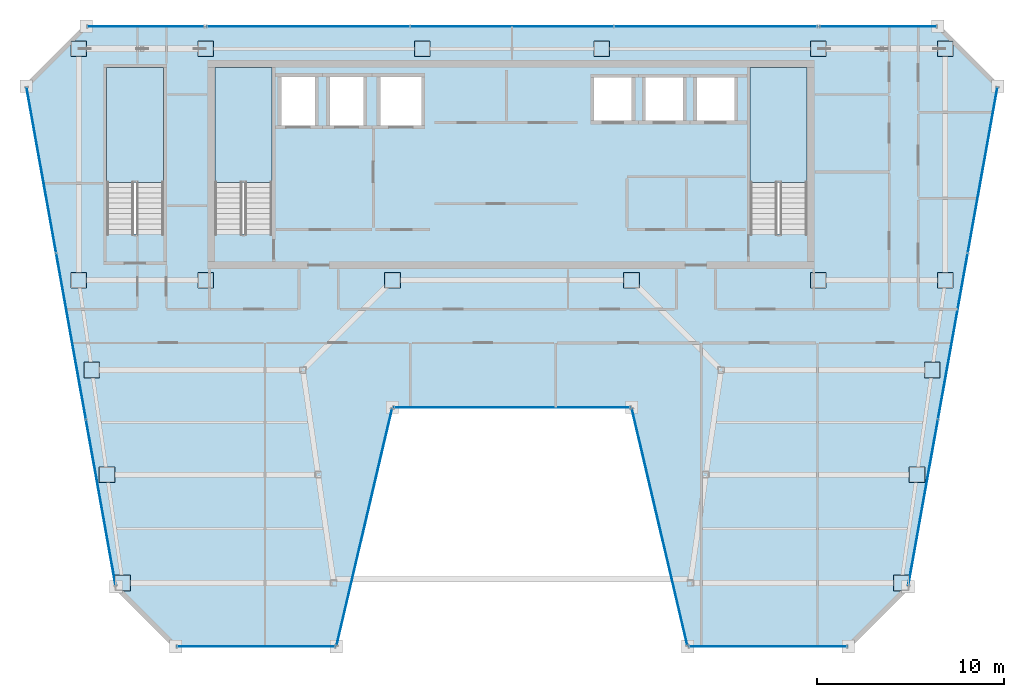
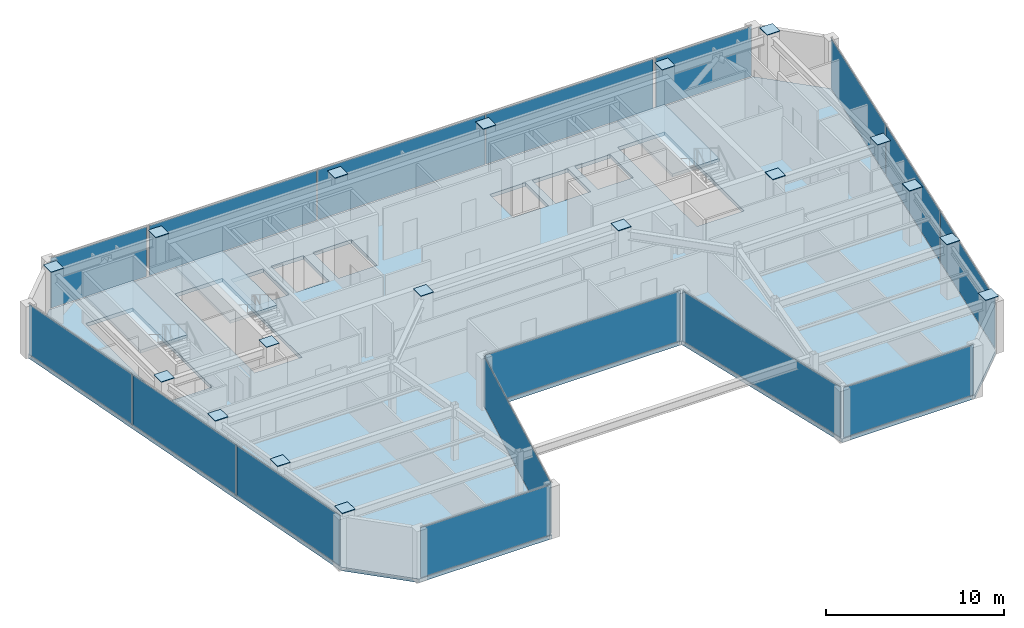
# One storey, part 25 of 32: 34 plates, 4 slabs, 13 elements without a shape of their own.
"""IFC4 building model written with IfcOpenShell, lengths in metres."""

import ifcopenshell
import ifcopenshell.guid

model = None  # the IFC model being written
_history = None  # IfcOwnerHistory: only IFC2X3 demands one
_inside = {}  # id of a spatial element -> (the spatial element, [elements in it])
_under = {}  # id of a project, library or spatial element -> (it, [spatial elements below it])
_declared = {}  # id of a project -> (the project, [libraries it declares])
_typed = {}  # id of a type object -> (the type object, [elements of that type])
_made_of = {}  # id of a material, layer set ... -> (it, [elements and type objects made of it])


def new_model(schema):
    """Start an empty IFC model of exactly this schema.

    Asked for "IFC4X3", IfcOpenShell would pick the latest addendum, in which some entities
    have other attributes; the version numbers below select the first issue.
    IFC2X3 requires an IfcOwnerHistory on every rooted entity: one is made here for all.
    """
    global model, _history
    if schema == "IFC4X3":
        model = ifcopenshell.file(schema_version=(4, 3, 0, 0))
    else:
        model = ifcopenshell.file(schema=schema)
    _inside.clear()
    _under.clear()
    _declared.clear()
    _typed.clear()
    _made_of.clear()
    _history = None
    if model.schema == "IFC2X3":
        org = make("IfcOrganization", Name="unknown")
        user = make(
            "IfcPersonAndOrganization",
            ThePerson=make("IfcPerson", FamilyName="unknown"),
            TheOrganization=org,
        )
        app = make(
            "IfcApplication",
            ApplicationDeveloper=org,
            Version="unknown",
            ApplicationFullName="unknown",
            ApplicationIdentifier="unknown",
        )
        _history = make(
            "IfcOwnerHistory",
            OwningUser=user,
            OwningApplication=app,
            ChangeAction="ADDED",
            CreationDate=0,
        )
    return model


def make(cls, **values):
    """One entity of the class cls with the attributes given. An attribute that is None is left unset."""
    return model.create_entity(
        cls, **{name: value for name, value in values.items() if value is not None}
    )


def rooted(cls, **values):
    """An entity with a GlobalId (a new one), such as an element, a storey or a relation."""
    return make(cls, GlobalId=ifcopenshell.guid.new(), OwnerHistory=_history, **values)


def si_unit(unit_type, name, prefix=None):
    """IfcSIUnit, for example si_unit("LENGTHUNIT", "METRE", prefix="MILLI")."""
    return make("IfcSIUnit", UnitType=unit_type, Prefix=prefix, Name=name)


def assignment(units):
    """IfcUnitAssignment: the units of a project."""
    return None if units is None else make("IfcUnitAssignment", Units=units)


def point(xyz):
    """IfcCartesianPoint."""
    return None if xyz is None else make("IfcCartesianPoint", Coordinates=xyz)


def direction(xyz):
    """IfcDirection."""
    return None if xyz is None else make("IfcDirection", DirectionRatios=xyz)


def frame(location, z_axis=None, x_axis=None):
    """IfcAxis2Placement3D, a coordinate frame: its origin and axes. An axis left out is left unset."""
    return make(
        "IfcAxis2Placement3D",
        Location=point(location),
        Axis=direction(z_axis),
        RefDirection=direction(x_axis),
    )


def frame_2d(location, x_axis=None):
    """IfcAxis2Placement2D, a coordinate frame in the plane: its origin and x axis."""
    return make(
        "IfcAxis2Placement2D", Location=point(location), RefDirection=direction(x_axis)
    )


def origin():
    """The frame at (0, 0, 0) with its axes left unset."""
    return frame((0.0, 0.0, 0.0))


def origin_2d():
    """The frame at (0, 0) in the plane with its x axis left unset."""
    return frame_2d((0.0, 0.0))


def place(relative_to, where):
    """IfcLocalPlacement: puts the frame where relative to a parent placement (None: the world)."""
    return make(
        "IfcLocalPlacement", PlacementRelTo=relative_to, RelativePlacement=where
    )


def context(
    kind, dimensions, precision=None, world=None, true_north=None, identifier=None
):
    """IfcGeometricRepresentationContext, for example the 3D "Model" context."""
    return make(
        "IfcGeometricRepresentationContext",
        ContextIdentifier=identifier,
        ContextType=kind,
        CoordinateSpaceDimension=dimensions,
        Precision=precision,
        WorldCoordinateSystem=world,
        TrueNorth=true_north,
    )


def subcontext(parent, identifier, kind, view, scale=None):
    """IfcGeometricRepresentationSubContext, for example "Body" below "Model"."""
    return make(
        "IfcGeometricRepresentationSubContext",
        ContextIdentifier=identifier,
        ContextType=kind,
        ParentContext=parent,
        TargetScale=scale,
        TargetView=view,
    )


def project(units=None, contexts=None):
    """IfcProject with its units and contexts."""
    return rooted(
        "IfcProject",
        Name="project",
        RepresentationContexts=contexts,
        UnitsInContext=assignment(units),
    )


def spatial(cls, under=None, at=None, **own):
    """A site, building, storey or space (cls), placed at a placement, below another one or the project."""
    s = rooted(cls, ObjectPlacement=at, **own)
    if under is not None:
        _under.setdefault(under.id(), (under, []))[1].append(s)
    return s


def polyline(points):
    """IfcPolyline through the points."""
    return make("IfcPolyline", Points=[point(p) for p in points])


def profile(cls, at=None, kind="AREA", **sizes):
    """A parametric profile (cls). Its sizes go by their IFC names, for example OverallWidth=200.0."""
    return make(cls, ProfileType=kind, Position=at, **sizes)


def rectangle(**sizes):
    """IfcRectangleProfileDef."""
    return profile("IfcRectangleProfileDef", **sizes)


def outline(outer, holes=None, kind="AREA"):
    """IfcArbitraryClosedProfileDef: a profile drawn as a closed curve; with holes, ...WithVoids."""
    if holes is None:
        return make("IfcArbitraryClosedProfileDef", ProfileType=kind, OuterCurve=outer)
    return make(
        "IfcArbitraryProfileDefWithVoids",
        ProfileType=kind,
        OuterCurve=outer,
        InnerCurves=holes,
    )


def extrude(swept, where, along, depth):
    """IfcExtrudedAreaSolid: the profile swept, set in the frame where, extruded along a direction by depth."""
    return make(
        "IfcExtrudedAreaSolid",
        SweptArea=swept,
        Position=where,
        ExtrudedDirection=direction(along),
        Depth=depth,
    )


def shape(context_of_items, identifier, shape_type, items):
    """IfcShapeRepresentation: the items that make up one representation, for example the "Body"."""
    return make(
        "IfcShapeRepresentation",
        ContextOfItems=context_of_items,
        RepresentationIdentifier=identifier,
        RepresentationType=shape_type,
        Items=items,
    )


def material(Name=None, Category=None):
    """IfcMaterial."""
    return make("IfcMaterial", Name=Name, Category=Category)


def layer(
    of_material, thickness, ventilated=None, Name=None, Category=None, Priority=None
):
    """IfcMaterialLayer: one layer of a wall or slab, of a material (None: an air gap)."""
    return make(
        "IfcMaterialLayer",
        Material=of_material,
        LayerThickness=thickness,
        IsVentilated=ventilated,
        Name=Name,
        Category=Category,
        Priority=Priority,
    )


def layer_set(layers, Name=None):
    """IfcMaterialLayerSet."""
    return make("IfcMaterialLayerSet", MaterialLayers=layers, LayerSetName=Name)


def made_of(thing, what):
    """Note that an element or type object is made of a material, layer set ...; save() writes the relation."""
    if what is not None:
        _made_of.setdefault(what.id(), (what, []))[1].append(thing)
    return thing


def type_object(cls, material=None, **own):
    """A type object (cls), such as IfcWallType, which elements share."""
    return made_of(rooted(cls, **own), material)


def element(
    cls,
    number,
    at=None,
    inside=None,
    cuts=None,
    type_object=None,
    material=None,
    context=None,
    identifier="Body",
    shape_type=None,
    held_by="IfcProductDefinitionShape",
    body=None,
    shapes=None,
    **own,
):
    """One element of the class cls, such as IfcWall. Its Tag is "e" and its number.

    at: its placement. inside: the storey or other place that contains it. cuts: it is an
    opening in that element (IfcRelVoidsElement). A single representation is given by context,
    identifier, shape_type and body (its items); several are given by shapes. held_by: the class
    of the entity that holds the representations. save() writes the other relations.
    """
    e = rooted(cls, Tag="e%d" % number, ObjectPlacement=at, **own)
    if body is not None:
        shapes = [shape(context, identifier, shape_type, body)]
    if shapes is not None:
        e.Representation = make(held_by, Representations=shapes)
    if inside is not None:
        _inside.setdefault(inside.id(), (inside, []))[1].append(e)
    if cuts is not None:
        rooted(
            "IfcRelVoidsElement", RelatingBuildingElement=cuts, RelatedOpeningElement=e
        )
    if type_object is not None:
        _typed.setdefault(type_object.id(), (type_object, []))[1].append(e)
    return made_of(e, material)


def aggregate(whole, parts):
    """IfcRelAggregates: a whole, such as a stair, and the parts it consists of."""
    return rooted("IfcRelAggregates", RelatingObject=whole, RelatedObjects=parts)


def save(model, path):
    """Write the relations noted so far, then the file.

    IfcRelAggregates (storeys below a building ...), IfcRelContainedInSpatialStructure (elements
    in a storey), IfcRelDefinesByType, IfcRelAssociatesMaterial and IfcRelDeclares: one each for
    every whole, place, type object, material and project.
    """
    for whole, parts in _under.values():
        aggregate(whole, parts)
    for where, things in _inside.values():
        rooted(
            "IfcRelContainedInSpatialStructure",
            RelatedElements=things,
            RelatingStructure=where,
        )
    for kind, things in _typed.values():
        rooted("IfcRelDefinesByType", RelatedObjects=things, RelatingType=kind)
    for what, things in _made_of.values():
        rooted("IfcRelAssociatesMaterial", RelatedObjects=things, RelatingMaterial=what)
    for by, libraries in _declared.values():
        rooted("IfcRelDeclares", RelatingContext=by, RelatedDefinitions=libraries)
    model.write(path)


model = new_model("IFC4")

# Units and contexts
model_context = context("Model", 3, precision=1e-05, world=origin(), true_north=direction((0.0, 1.0)))
body_context = subcontext(model_context, "Body", "Model", "MODEL_VIEW")
ifc_project = project(units=[si_unit("LENGTHUNIT", "METRE"), si_unit("AREAUNIT", "SQUARE_METRE"), si_unit("VOLUMEUNIT", "CUBIC_METRE"), si_unit("PLANEANGLEUNIT", "RADIAN"), si_unit("MASSUNIT", "GRAM", prefix="KILO")], contexts=[model_context])

# Site, building, storey
site_placement = place(None, origin())
site = spatial("IfcSite", under=ifc_project, at=site_placement, CompositionType="ELEMENT")
building_placement = place(site_placement, origin())
building = spatial("IfcBuilding", under=site, at=building_placement, Name="Saevonmaru Cultural Tower", CompositionType="ELEMENT")
storey_placement = place(building_placement, frame((0.0, 0.0, 257.199951171875)))
storey = spatial("IfcBuildingStorey", under=building, at=storey_placement, Name="L60", CompositionType="ELEMENT", Elevation=257.199951171875)

# Plates
ifc_material_1 = material(Name="Steel HSA600 (600 MPa)", Category="steel")
ifc_layer_1 = layer(ifc_material_1, 0.0400390625, Name="Steel HSA600 (600 MPa)")
ifc_layer_set_1 = layer_set([ifc_layer_1], Name="Steel HSA600 (600 MPa)")
plate_type_1 = type_object("IfcPlateType", Name="PL-CAP-800", PredefinedType="USERDEFINED", material=ifc_layer_set_1)
for number, where, z_axis, x_axis, name in (
    (1, (50.845947265625, 26.199951171875, 3.794921875), (0.0, 0.0, 1.0), (1.0, 0.0, 0.0), "Column head cap plate TC-EO-Y262 L60"),
    (2, (51.68310546875, 32.0, 3.794921875), (0.0, 0.0, 1.0), (1.0, 0.0, 0.0), "Column head cap plate TC-EO-Y320 L60"),
    (3, (52.491943359375, 37.60009765625, 3.794921875), (0.0, 0.0, 1.0), (1.0, 0.0, 0.0), "Column head cap plate TC-EO-Y376 L60"),
    (4, (6.800048828125, 54.800048828125, 3.794921875), (0.0, 0.0, 1.0), (1.0, 0.0, 0.0), "Column head cap plate TC-N1N L60"),
    (5, (13.60009765625, 54.800048828125, 3.794921875), (0.0, 0.0, 1.0), (1.0, 0.0, 0.0), "Column head cap plate TC-N2N L60"),
    (6, (25.199951171875, 54.800048828125, 3.794921875), (0.0, 0.0, 1.0), (1.0, 0.0, 0.0), "Column head cap plate TC-N3N L60"),
    (7, (34.800048828125, 54.800048828125, 3.794921875), (0.0, 0.0, 1.0), (1.0, 0.0, 0.0), "Column head cap plate TC-N4N L60"),
    (8, (46.39990234375, 54.800048828125, 3.794921875), (0.0, 0.0, 1.0), (1.0, 0.0, 0.0), "Column head cap plate TC-N5N L60"),
    (9, (53.199951171875, 54.800048828125, 3.794921875), (0.0, 0.0, 1.0), (1.0, 0.0, 0.0), "Column head cap plate TC-N6N L60"),
    (10, (6.800048828125, 42.39990234375, 3.794921875), (0.0, 0.0, 1.0), (1.0, 0.0, 0.0), "Column head cap plate TC-S1C L60"),
    (11, (13.60009765625, 42.39990234375, 3.794921875), (0.0, 0.0, 1.0), (1.0, 0.0, 0.0), "Column head cap plate TC-S2C L60"),
    (12, (23.60009765625, 42.39990234375, 3.794921875), (0.0, 0.0, 1.0), (1.0, 0.0, 0.0), "Column head cap plate TC-S3C L60"),
    (13, (36.39990234375, 42.39990234375, 3.794921875), (0.0, 0.0, 1.0), (1.0, 0.0, 0.0), "Column head cap plate TC-S4C L60"),
    (14, (46.39990234375, 42.39990234375, 3.794921875), (0.0, 0.0, 1.0), (1.0, 0.0, 0.0), "Column head cap plate TC-S5C L60"),
    (15, (53.199951171875, 42.39990234375, 3.794921875), (0.0, 0.0, 1.0), (1.0, 0.0, 0.0), "Column head cap plate TC-S6C L60"),
    (16, (9.154052734375, 26.199951171875, 3.794921875), (0.0, 0.0, 1.0), (1.0, 0.0, 0.0), "Column head cap plate TC-WO-Y262 L60"),
    (17, (8.31689453125, 32.0, 3.794921875), (0.0, 0.0, 1.0), (1.0, 0.0, 0.0), "Column head cap plate TC-WO-Y320 L60"),
    (18, (7.508056640625, 37.60009765625, 3.794921875), (0.0, 0.0, 1.0), (1.0, 0.0, 0.0), "Column head cap plate TC-WO-Y376 L60"),
):
    element("IfcPlate", number, at=place(storey_placement, frame(where, z_axis=z_axis, x_axis=x_axis)), inside=storey, type_object=plate_type_1, Name=name, ObjectType="CAP_PLATE", PredefinedType="USERDEFINED", context=body_context, shape_type="SweptSolid", body=[
        extrude(rectangle(XDim=0.840087890625, YDim=0.840087890625, at=origin_2d()), origin(), (0.0, 0.0, 1.0), 0.0400390625),
    ])

# Curtain wall, plate
ifc_material_2 = material(Name="Satin Bronze Anodised Aluminium", Category="aluminium")
curtain_wall_type = type_object("IfcCurtainWallType", Name="CW-TYP-B", PredefinedType="NOTDEFINED", material=ifc_material_2)
curtain_wall_1_placement = place(storey_placement, origin())
curtain_wall_1 = element("IfcCurtainWall", 19, at=curtain_wall_1_placement, inside=storey, type_object=curtain_wall_type, Name="L60 Unitised Curtain Wall E2", PredefinedType="NOTDEFINED")
ifc_material_3 = material(Name="Triple Silver Low-E Insulating Glass", Category="glass")
ifc_layer_2 = layer(ifc_material_3, 0.035888671875, Name="Triple Silver Low-E Insulating Glass")
ifc_layer_set_2 = layer_set([ifc_layer_2], Name="Triple Silver Low-E Insulating Glass")
plate_type_2 = type_object("IfcPlateType", Name="PN-GLZ-IGU", PredefinedType="CURTAIN_PANEL", material=ifc_layer_set_2)
plate_1_placement = place(storey_placement, frame((16.295654296875, 22.800048828125, 0.067138671875), z_axis=(0.0, 0.0, 1.0), x_axis=(1.0, 0.0, 0.0)))
plate_1 = element("IfcPlate", 20, at=plate_1_placement, type_object=plate_type_2, Name="CW-TW-L60-E2 panel 1.1", PredefinedType="CURTAIN_PANEL", context=body_context, shape_type="SweptSolid", body=[
    extrude(rectangle(XDim=8.410888671875, YDim=0.035888671875, at=origin_2d()), origin(), (0.0, 0.0, 1.0), 3.416015625),
])
aggregate(curtain_wall_1, [plate_1])

curtain_wall_2_placement = place(storey_placement, origin())
curtain_wall_2 = element("IfcCurtainWall", 21, at=curtain_wall_2_placement, inside=storey, type_object=curtain_wall_type, Name="L60 Unitised Curtain Wall E3", PredefinedType="NOTDEFINED")
plate_2_placement = place(storey_placement, frame((22.095703125, 29.199951171875, 0.067138671875), z_axis=(0.0, 0.0, 1.0), x_axis=(0.228189509449, 0.973616735568, 0.0)))
plate_2 = element("IfcPlate", 22, at=plate_2_placement, type_object=plate_type_2, Name="CW-TW-L60-E3 panel 1.1", PredefinedType="CURTAIN_PANEL", context=body_context, shape_type="SweptSolid", body=[
    extrude(rectangle(XDim=12.9580078125, YDim=0.035888671875, at=origin_2d()), origin(), (0.0, 0.0, 1.0), 3.416015625),
])
aggregate(curtain_wall_2, [plate_2])

curtain_wall_3_placement = place(storey_placement, origin())
curtain_wall_3 = element("IfcCurtainWall", 23, at=curtain_wall_3_placement, inside=storey, type_object=curtain_wall_type, Name="L60 Unitised Curtain Wall E4", PredefinedType="NOTDEFINED")
plate_3_placement = place(storey_placement, frame((30.0, 35.60009765625, 0.067138671875), z_axis=(0.0, 0.0, 1.0), x_axis=(1.0, 0.0, 0.0)))
plate_3 = element("IfcPlate", 24, at=plate_3_placement, type_object=plate_type_2, Name="CW-TW-L60-E4 panel 1.1", PredefinedType="CURTAIN_PANEL", context=body_context, shape_type="SweptSolid", body=[
    extrude(rectangle(XDim=12.619873046875, YDim=0.035888671875, at=origin_2d()), origin(), (0.0, 0.0, 1.0), 3.416015625),
])
aggregate(curtain_wall_3, [plate_3])

curtain_wall_4_placement = place(storey_placement, origin())
curtain_wall_4 = element("IfcCurtainWall", 25, at=curtain_wall_4_placement, inside=storey, type_object=curtain_wall_type, Name="L60 Unitised Curtain Wall E5", PredefinedType="NOTDEFINED")
plate_4_placement = place(storey_placement, frame((37.904296875, 29.199951171875, 0.067138671875), z_axis=(0.0, 0.0, 1.0), x_axis=(0.228189509449, -0.973616735568, 0.0)))
plate_4 = element("IfcPlate", 26, at=plate_4_placement, type_object=plate_type_2, Name="CW-TW-L60-E5 panel 1.1", PredefinedType="CURTAIN_PANEL", context=body_context, shape_type="SweptSolid", body=[
    extrude(rectangle(XDim=12.9580078125, YDim=0.035888671875, at=origin_2d()), origin(), (0.0, 0.0, 1.0), 3.416015625),
])
aggregate(curtain_wall_4, [plate_4])

curtain_wall_5_placement = place(storey_placement, origin())
curtain_wall_5 = element("IfcCurtainWall", 27, at=curtain_wall_5_placement, inside=storey, type_object=curtain_wall_type, Name="L60 Unitised Curtain Wall E6", PredefinedType="NOTDEFINED")
plate_5_placement = place(storey_placement, frame((43.704345703125, 22.800048828125, 0.067138671875), z_axis=(0.0, 0.0, 1.0), x_axis=(1.0, 0.0, 0.0)))
plate_5 = element("IfcPlate", 28, at=plate_5_placement, type_object=plate_type_2, Name="CW-TW-L60-E6 panel 1.1", PredefinedType="CURTAIN_PANEL", context=body_context, shape_type="SweptSolid", body=[
    extrude(rectangle(XDim=8.410888671875, YDim=0.035888671875, at=origin_2d()), origin(), (0.0, 0.0, 1.0), 3.416015625),
])
aggregate(curtain_wall_5, [plate_5])

# Curtain wall, plates
curtain_wall_6_placement = place(storey_placement, origin())
curtain_wall_6 = element("IfcCurtainWall", 29, at=curtain_wall_6_placement, inside=storey, type_object=curtain_wall_type, Name="L60 Unitised Curtain Wall E8", PredefinedType="NOTDEFINED")
plate_6_placement = place(storey_placement, frame((52.0107421875, 30.506103515625, 0.067138671875), z_axis=(0.0, 0.0, 1.0), x_axis=(0.176140740755, 0.984364993001, 0.0)))
plate_6 = element("IfcPlate", 30, at=plate_6_placement, type_object=plate_type_2, Name="CW-TW-L60-E8 panel 1.1", PredefinedType="CURTAIN_PANEL", context=body_context, shape_type="SweptSolid", body=[
    extrude(rectangle(XDim=8.96630859375, YDim=0.035888671875, at=origin_2d()), origin(), (0.0, 0.0, 1.0), 3.416015625),
])
plate_7_placement = place(storey_placement, frame((53.602294921875, 39.39990234375, 0.067138671875), z_axis=(0.0, 0.0, 1.0), x_axis=(0.176140740755, 0.984364993001, 0.0)))
plate_7 = element("IfcPlate", 31, at=plate_7_placement, type_object=plate_type_2, Name="CW-TW-L60-E8 panel 2.1", PredefinedType="CURTAIN_PANEL", context=body_context, shape_type="SweptSolid", body=[
    extrude(rectangle(XDim=8.96630859375, YDim=0.035888671875, at=origin_2d()), origin(), (0.0, 0.0, 1.0), 3.416015625),
])
plate_8_placement = place(storey_placement, frame((55.193603515625, 48.2939453125, 0.067138671875), z_axis=(0.0, 0.0, 1.0), x_axis=(0.176140740755, 0.984364993001, 0.0)))
plate_8 = element("IfcPlate", 32, at=plate_8_placement, type_object=plate_type_2, Name="CW-TW-L60-E8 panel 3.1", PredefinedType="CURTAIN_PANEL", context=body_context, shape_type="SweptSolid", body=[
    extrude(rectangle(XDim=8.96630859375, YDim=0.035888671875, at=origin_2d()), origin(), (0.0, 0.0, 1.0), 3.416015625),
])
aggregate(curtain_wall_6, [plate_6, plate_7, plate_8])

curtain_wall_7_placement = place(storey_placement, origin())
curtain_wall_7 = element("IfcCurtainWall", 33, at=curtain_wall_7_placement, inside=storey, type_object=curtain_wall_type, Name="L60 North Spine Unitised Curtain Wall E10B", PredefinedType="NOTDEFINED")
plate_9_placement = place(storey_placement, frame((40.893310546875, 56.0, 0.067138671875), z_axis=(0.0, 0.0, 1.0), x_axis=(-1.0, 0.0, 0.0)))
plate_9 = element("IfcPlate", 34, at=plate_9_placement, type_object=plate_type_2, Name="CW-TW-L60-E10B panel 1.1", PredefinedType="CURTAIN_PANEL", context=body_context, shape_type="SweptSolid", body=[
    extrude(rectangle(XDim=10.82421875, YDim=0.035888671875, at=origin_2d()), origin(), (0.0, 0.0, 1.0), 3.416015625),
])
plate_10_placement = place(storey_placement, frame((30.0, 56.0, 0.067138671875), z_axis=(0.0, 0.0, 1.0), x_axis=(-1.0, 0.0, 0.0)))
plate_10 = element("IfcPlate", 35, at=plate_10_placement, type_object=plate_type_2, Name="CW-TW-L60-E10B panel 2.1", PredefinedType="CURTAIN_PANEL", context=body_context, shape_type="SweptSolid", body=[
    extrude(rectangle(XDim=10.82421875, YDim=0.035888671875, at=origin_2d()), origin(), (0.0, 0.0, 1.0), 3.416015625),
])
plate_11_placement = place(storey_placement, frame((19.106689453125, 56.0, 0.067138671875), z_axis=(0.0, 0.0, 1.0), x_axis=(-1.0, 0.0, 0.0)))
plate_11 = element("IfcPlate", 36, at=plate_11_placement, type_object=plate_type_2, Name="CW-TW-L60-E10B panel 3.1", PredefinedType="CURTAIN_PANEL", context=body_context, shape_type="SweptSolid", body=[
    extrude(rectangle(XDim=10.82421875, YDim=0.035888671875, at=origin_2d()), origin(), (0.0, 0.0, 1.0), 3.416015625),
])
aggregate(curtain_wall_7, [plate_9, plate_10, plate_11])

curtain_wall_8_placement = place(storey_placement, origin())
curtain_wall_8 = element("IfcCurtainWall", 37, at=curtain_wall_8_placement, inside=storey, type_object=curtain_wall_type, Name="L60 Unitised Curtain Wall E12", PredefinedType="NOTDEFINED")
plate_12_placement = place(storey_placement, frame((4.806396484375, 48.2939453125, 0.067138671875), z_axis=(0.0, 0.0, 1.0), x_axis=(0.176140740755, -0.984364993001, 0.0)))
plate_12 = element("IfcPlate", 38, at=plate_12_placement, type_object=plate_type_2, Name="CW-TW-L60-E12 panel 1.1", PredefinedType="CURTAIN_PANEL", context=body_context, shape_type="SweptSolid", body=[
    extrude(rectangle(XDim=8.96630859375, YDim=0.035888671875, at=origin_2d()), origin(), (0.0, 0.0, 1.0), 3.416015625),
])
plate_13_placement = place(storey_placement, frame((6.397705078125, 39.39990234375, 0.067138671875), z_axis=(0.0, 0.0, 1.0), x_axis=(0.176140740755, -0.984364993001, 0.0)))
plate_13 = element("IfcPlate", 39, at=plate_13_placement, type_object=plate_type_2, Name="CW-TW-L60-E12 panel 2.1", PredefinedType="CURTAIN_PANEL", context=body_context, shape_type="SweptSolid", body=[
    extrude(rectangle(XDim=8.96630859375, YDim=0.035888671875, at=origin_2d()), origin(), (0.0, 0.0, 1.0), 3.416015625),
])
plate_14_placement = place(storey_placement, frame((7.9892578125, 30.506103515625, 0.067138671875), z_axis=(0.0, 0.0, 1.0), x_axis=(0.176140740755, -0.984364993001, 0.0)))
plate_14 = element("IfcPlate", 40, at=plate_14_placement, type_object=plate_type_2, Name="CW-TW-L60-E12 panel 3.1", PredefinedType="CURTAIN_PANEL", context=body_context, shape_type="SweptSolid", body=[
    extrude(rectangle(XDim=8.96630859375, YDim=0.035888671875, at=origin_2d()), origin(), (0.0, 0.0, 1.0), 3.416015625),
])
aggregate(curtain_wall_8, [plate_12, plate_13, plate_14])

# Curtain wall, plate
curtain_wall_9_placement = place(storey_placement, origin())
curtain_wall_9 = element("IfcCurtainWall", 41, at=curtain_wall_9_placement, inside=storey, type_object=curtain_wall_type, Name="L60 East Braced Bay Spandrel Curtain Wall E10A", PredefinedType="NOTDEFINED")
ifc_material_4 = material(Name="Insulated Satin Bronze Aluminium Spandrel Panel", Category="aluminium")
ifc_layer_3 = layer(ifc_material_4, 0.0400390625, Name="Insulated Satin Bronze Aluminium Spandrel Panel")
ifc_layer_set_3 = layer_set([ifc_layer_3], Name="Insulated Satin Bronze Aluminium Spandrel Panel")
plate_type_3 = type_object("IfcPlateType", Name="PN-SPANDREL-BRONZE", PredefinedType="CURTAIN_PANEL", material=ifc_layer_set_3)
plate_15_placement = place(storey_placement, frame((49.60009765625, 56.0, 0.067138671875), z_axis=(0.0, 0.0, 1.0), x_axis=(-1.0, 0.0, 0.0)))
plate_15 = element("IfcPlate", 42, at=plate_15_placement, type_object=plate_type_3, Name="CW-TW-L60-E10A panel 1.1", PredefinedType="CURTAIN_PANEL", context=body_context, shape_type="SweptSolid", body=[
    extrude(rectangle(XDim=6.2109375, YDim=0.035888671875, at=origin_2d()), origin(), (0.0, 0.0, 1.0), 3.416015625),
])
aggregate(curtain_wall_9, [plate_15])

curtain_wall_10_placement = place(storey_placement, origin())
curtain_wall_10 = element("IfcCurtainWall", 43, at=curtain_wall_10_placement, inside=storey, type_object=curtain_wall_type, Name="L60 West Braced Bay Spandrel Curtain Wall E10C", PredefinedType="NOTDEFINED")
plate_16_placement = place(storey_placement, frame((10.39990234375, 56.0, 0.067138671875), z_axis=(0.0, 0.0, 1.0), x_axis=(-1.0, 0.0, 0.0)))
plate_16 = element("IfcPlate", 44, at=plate_16_placement, type_object=plate_type_3, Name="CW-TW-L60-E10C panel 1.1", PredefinedType="CURTAIN_PANEL", context=body_context, shape_type="SweptSolid", body=[
    extrude(rectangle(XDim=6.2109375, YDim=0.035888671875, at=origin_2d()), origin(), (0.0, 0.0, 1.0), 3.416015625),
])
aggregate(curtain_wall_10, [plate_16])

# Slab
ifc_material_5 = material(Name="Concrete C40/50", Category="concrete")
ifc_layer_4 = layer(ifc_material_5, 0.25, Name="Concrete C40/50")
ifc_layer_set_4 = layer_set([ifc_layer_4], Name="Concrete C40/50")
slab_type_1 = type_object("IfcSlabType", Name="SL-FLR-250", PredefinedType="FLOOR", material=ifc_layer_set_4)
slab_1_placement = place(storey_placement, frame((0.0, 0.0, -0.25)))
element("IfcSlab", 45, at=slab_1_placement, inside=storey, type_object=slab_type_1, Name="L60 Tower Structural Floor Slab", PredefinedType="FLOOR", context=body_context, shape_type="SweptSolid", body=[
    extrude(outline(polyline([(8.795654296875, 26.0), (11.99560546875, 22.800048828125), (20.595703125, 22.800048828125), (23.595703125, 35.60009765625), (36.404296875, 35.60009765625), (39.404296875, 22.800048828125), (48.00439453125, 22.800048828125), (51.204345703125, 26.0), (56.0, 52.800048828125), (52.800048828125, 56.0), (7.199951171875, 56.0), (4.0, 52.800048828125), (8.795654296875, 26.0)]), holes=[polyline([(45.800048828125, 53.800048828125), (45.800048828125, 44.875), (42.75, 44.875), (42.75, 53.800048828125), (45.800048828125, 53.800048828125)]), polyline([(39.75, 50.800048828125), (39.75, 53.39990234375), (42.050048828125, 53.39990234375), (42.050048828125, 50.800048828125), (39.75, 50.800048828125)]), polyline([(37.0, 50.800048828125), (37.0, 53.39990234375), (39.300048828125, 53.39990234375), (39.300048828125, 50.800048828125), (37.0, 50.800048828125)]), polyline([(36.550048828125, 50.800048828125), (34.25, 50.800048828125), (34.25, 53.39990234375), (36.550048828125, 53.39990234375), (36.550048828125, 50.800048828125)]), polyline([(25.300048828125, 50.550048828125), (22.800048828125, 50.550048828125), (22.800048828125, 53.449951171875), (25.300048828125, 53.449951171875), (25.300048828125, 50.550048828125)]), polyline([(22.199951171875, 50.550048828125), (20.10009765625, 50.550048828125), (20.10009765625, 53.449951171875), (22.199951171875, 53.449951171875), (22.199951171875, 50.550048828125)]), polyline([(19.60009765625, 50.550048828125), (17.5, 50.550048828125), (17.5, 53.449951171875), (19.60009765625, 53.449951171875), (19.60009765625, 50.550048828125)]), polyline([(17.14990234375, 53.800048828125), (17.14990234375, 44.875), (14.10009765625, 44.875), (14.10009765625, 53.800048828125), (17.14990234375, 53.800048828125)]), polyline([(11.35009765625, 53.800048828125), (11.35009765625, 44.875), (8.300048828125, 44.875), (8.300048828125, 53.800048828125), (11.35009765625, 53.800048828125)])]), origin(), (0.0, 0.0, 1.0), 0.25),
])

# Stair, slab
stair_type = type_object("IfcStairType", Name="STR-DOGLEG-RC", PredefinedType="HALF_TURN_STAIR", material=ifc_material_5)
stair_1_placement = place(storey_placement, origin())
stair_1 = element("IfcStair", 46, at=stair_1_placement, inside=storey, type_object=stair_type, Name="L60 Protected exit stair ST-1", PredefinedType="HALF_TURN_STAIR")
ifc_layer_5 = layer(ifc_material_5, 0.199951171875, Name="Concrete C40/50")
ifc_layer_set_5 = layer_set([ifc_layer_5], Name="Concrete C40/50")
slab_type_2 = type_object("IfcSlabType", Name="SL-STAIR-LANDING", PredefinedType="LANDING", material=ifc_layer_set_5)
slab_2_placement = place(storey_placement, frame((0.0, 0.0, 1.699951171875)))
slab_2 = element("IfcSlab", 47, at=slab_2_placement, type_object=slab_type_2, Name="ST-1-L60 landing 1", PredefinedType="LANDING", context=body_context, shape_type="SweptSolid", body=[
    extrude(outline(polyline([(17.14990234375, 47.64990234375), (17.14990234375, 53.800048828125), (14.10009765625, 53.800048828125), (14.10009765625, 47.64990234375), (17.14990234375, 47.64990234375)])), origin(), (0.0, 0.0, 1.0), 0.2001953125),
])
aggregate(stair_1, [slab_2])

stair_2_placement = place(storey_placement, origin())
stair_2 = element("IfcStair", 48, at=stair_2_placement, inside=storey, type_object=stair_type, Name="L60 Protected exit stair ST-2", PredefinedType="HALF_TURN_STAIR")
slab_3_placement = place(storey_placement, frame((0.0, 0.0, 1.699951171875)))
slab_3 = element("IfcSlab", 49, at=slab_3_placement, type_object=slab_type_2, Name="ST-2-L60 landing 1", PredefinedType="LANDING", context=body_context, shape_type="SweptSolid", body=[
    extrude(outline(polyline([(45.800048828125, 47.64990234375), (45.800048828125, 53.800048828125), (42.75, 53.800048828125), (42.75, 47.64990234375), (45.800048828125, 47.64990234375)])), origin(), (0.0, 0.0, 1.0), 0.2001953125),
])
aggregate(stair_2, [slab_3])

stair_3_placement = place(storey_placement, origin())
stair_3 = element("IfcStair", 50, at=stair_3_placement, inside=storey, type_object=stair_type, Name="L60 Protected exit stair ST-3", PredefinedType="HALF_TURN_STAIR")
slab_4_placement = place(storey_placement, frame((0.0, 0.0, 1.699951171875)))
slab_4 = element("IfcSlab", 51, at=slab_4_placement, type_object=slab_type_2, Name="ST-3-L60 landing 1", PredefinedType="LANDING", context=body_context, shape_type="SweptSolid", body=[
    extrude(outline(polyline([(11.35009765625, 47.64990234375), (11.35009765625, 53.800048828125), (8.300048828125, 53.800048828125), (8.300048828125, 47.64990234375), (11.35009765625, 47.64990234375)])), origin(), (0.0, 0.0, 1.0), 0.2001953125),
])
aggregate(stair_3, [slab_4])

save(model, "model.ifc")
